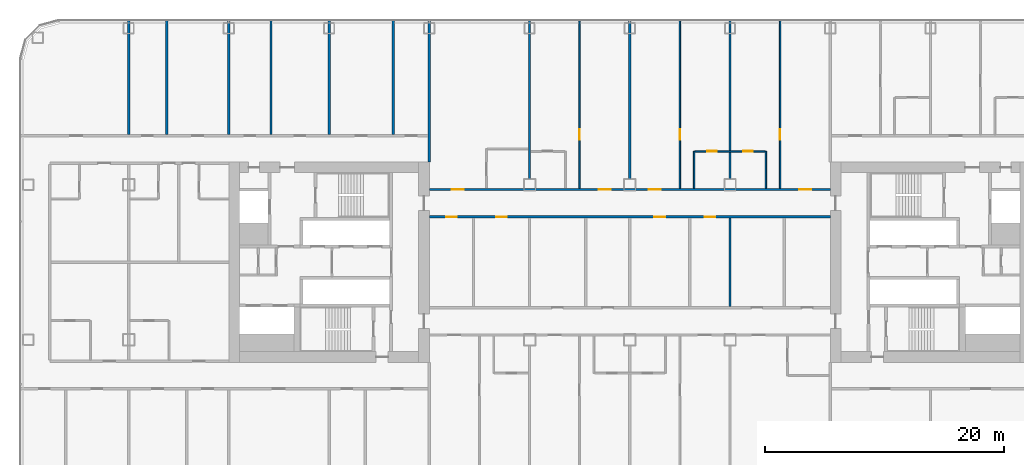
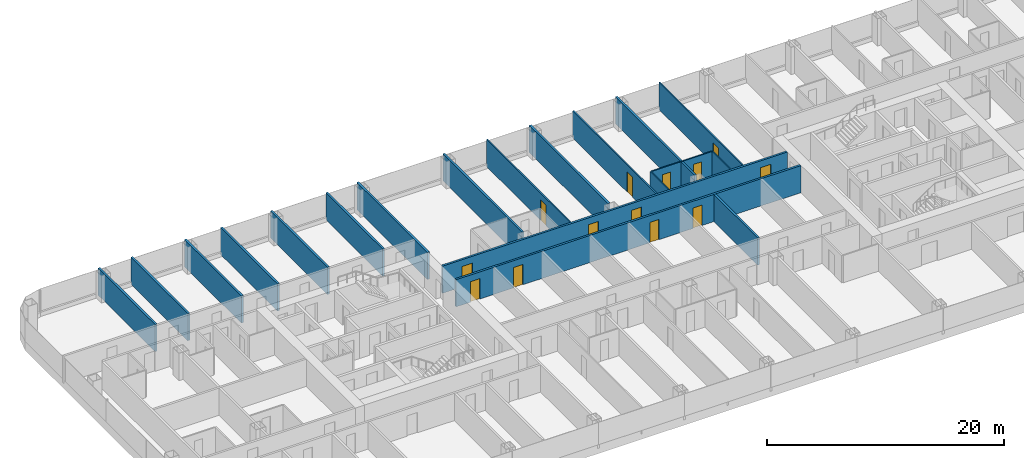
# One storey, part 16 of 28: 19 walls, 13 doors, 13 openings.
"""IFC4 building model written with IfcOpenShell, lengths in metres."""

from ifc_helpers import new_model, si_unit, direction, frame, frame_2d, origin, place, context, subcontext, project, spatial, rectangle, extrude, material, layer, layer_set, type_object, element, fill, save


model = new_model("IFC4")

# Units and contexts
model_context = context("Model", 3, precision=1e-05, world=origin(), true_north=direction((0.0, 1.0)))
body_context = subcontext(model_context, "Body", "Model", "MODEL_VIEW")
ifc_project = project(units=[si_unit("LENGTHUNIT", "METRE"), si_unit("AREAUNIT", "SQUARE_METRE"), si_unit("VOLUMEUNIT", "CUBIC_METRE"), si_unit("PLANEANGLEUNIT", "RADIAN"), si_unit("MASSUNIT", "GRAM", prefix="KILO")], contexts=[model_context])

# Site, building, storey
site_placement = place(None, origin())
site = spatial("IfcSite", under=ifc_project, at=site_placement, CompositionType="ELEMENT")
building_placement = place(site_placement, origin())
building = spatial("IfcBuilding", under=site, at=building_placement, Name="Hakoniwa Tower and Hamabe Station Hall", CompositionType="ELEMENT")
storey_placement = place(building_placement, frame((0.0, 0.0, 32.60009765625)))
storey = spatial("IfcBuildingStorey", under=building, at=storey_placement, Name="L08", CompositionType="ELEMENT", Elevation=32.60009765625)

# Wall, openings, doors
ifc_material_1 = material(Name="Gypsum board partition", Category="gypsum")
ifc_layer_1 = layer(ifc_material_1, 0.125)
ifc_layer_set_1 = layer_set([ifc_layer_1], Name="Bathroom Partition 125")
wall_type_1 = type_object("IfcWallType", Name="Bathroom Partition 125", PredefinedType="PARTITIONING", material=ifc_layer_set_1)
wall_1_placement = place(storey_placement, frame((5.46240234375, 9.300048828125, 0.0), z_axis=(0.0, 0.0, 1.0), x_axis=(1.0, 0.0, 0.0)))
wall_1 = element("IfcWall", 1, at=wall_1_placement, inside=storey, type_object=wall_type_1, Name="GW-L08-028", PredefinedType="PARTITIONING", context=body_context, shape_type="SweptSolid", body=[
    extrude(rectangle(XDim=5.875, YDim=0.125, at=frame_2d((2.9375, 0.0))), origin(), (0.0, 0.0, 1.0), 2.7998046875),
])
opening_1_placement = place(wall_1_placement, frame((1.03759765625, 0.0, 0.0)))
opening_1 = element("IfcOpeningElement", 2, at=opening_1_placement, cuts=wall_1, Name="Opening GD-G1E0-47", PredefinedType="OPENING", context=body_context, shape_type="SweptSolid", body=[
    extrude(rectangle(XDim=0.800048828125, YDim=2.10009765625, at=frame_2d((0.39990234375, 1.050048828125))), frame((0.0, 0.072509765625, 0.0), z_axis=(0.0, -1.0, 0.0), x_axis=(1.0, 0.0, 0.0)), (0.0, 0.0, 1.0), 0.14501953125),
])
opening_2_placement = place(wall_1_placement, frame((4.03759765625, 0.0, 0.0)))
opening_2 = element("IfcOpeningElement", 3, at=opening_2_placement, cuts=wall_1, Name="Opening GD-G1E0-48", PredefinedType="OPENING", context=body_context, shape_type="SweptSolid", body=[
    extrude(rectangle(XDim=0.800048828125, YDim=2.10009765625, at=frame_2d((0.39990234375, 1.050048828125))), frame((0.0, 0.072509765625, 0.0), z_axis=(0.0, -1.0, 0.0), x_axis=(1.0, 0.0, 0.0)), (0.0, 0.0, 1.0), 0.14501953125),
])
ifc_material_2 = material(Name="Timber door leaf", Category="wood")
door_type_1 = type_object("IfcDoorType", Name="Bathroom Door 800", OperationType="SINGLE_SWING_LEFT", PredefinedType="DOOR", material=ifc_material_2)
door_1_placement = place(opening_1_placement, origin())
door_1 = element("IfcDoor", 4, at=door_1_placement, inside=storey, type_object=door_type_1, Name="Door GD-G1E0-47", OperationType="SINGLE_SWING_LEFT", OverallHeight=2.10009765625, OverallWidth=0.800048828125, PredefinedType="DOOR", context=body_context, shape_type="SweptSolid", body=[
    extrude(rectangle(XDim=0.800048828125, YDim=2.10009765625, at=frame_2d((0.39990234375, 1.050048828125))), frame((0.0, 0.02490234375, 0.0), z_axis=(0.0, -1.0, 0.0), x_axis=(1.0, 0.0, 0.0)), (0.0, 0.0, 1.0), 0.050048828125),
])
fill(opening_1, door_1)
door_2_placement = place(opening_2_placement, origin())
door_2 = element("IfcDoor", 5, at=door_2_placement, inside=storey, type_object=door_type_1, Name="Door GD-G1E0-48", OperationType="SINGLE_SWING_RIGHT", OverallHeight=2.10009765625, OverallWidth=0.800048828125, PredefinedType="DOOR", context=body_context, shape_type="SweptSolid", body=[
    extrude(rectangle(XDim=0.800048828125, YDim=2.10009765625, at=frame_2d((0.39990234375, 1.050048828125))), frame((0.0, 0.02490234375, 0.0), z_axis=(0.0, -1.0, 0.0), x_axis=(1.0, 0.0, 0.0)), (0.0, 0.0, 1.0), 0.050048828125),
])
fill(opening_2, door_2)

# Walls
for number, where, z_axis, x_axis, name in (
    (6, (5.39990234375, 6.199951171875, 0.0), (0.0, 0.0, 1.0), (0.0, 1.0, 0.0), "GW-L08-077"),
    (7, (11.39990234375, 6.199951171875, 0.0), (0.0, 0.0, 1.0), (0.0, 1.0, 0.0), "GW-L08-081"),
):
    element("IfcWall", number, at=place(storey_placement, frame(where, z_axis=z_axis, x_axis=x_axis)), inside=storey, type_object=wall_type_1, Name=name, PredefinedType="PARTITIONING", context=body_context, shape_type="SweptSolid", body=[
        extrude(rectangle(XDim=3.10009765625, YDim=0.125, at=frame_2d((1.550048828125, 0.0))), origin(), (0.0, 0.0, 1.0), 2.7998046875),
    ])

# Wall, openings, doors
ifc_material_3 = material(Name="Fire-rated gypsum board partition", Category="gypsum")
ifc_layer_2 = layer(ifc_material_3, 0.199951171875)
ifc_layer_set_2 = layer_set([ifc_layer_2], Name="Corridor Wall 200")
wall_type_2 = type_object("IfcWallType", Name="Corridor Wall 200", PredefinedType="PARTITIONING", material=ifc_layer_set_2)
wall_2_placement = place(storey_placement, frame((-16.800048828125, 3.800048828125, 0.0), z_axis=(0.0, 0.0, 1.0), x_axis=(1.0, 0.0, 0.0)))
wall_2 = element("IfcWall", 8, at=wall_2_placement, inside=storey, type_object=wall_type_2, Name="GW-L08-017", PredefinedType="PARTITIONING", context=body_context, shape_type="SweptSolid", body=[
    extrude(rectangle(XDim=33.60009765625, YDim=0.199951171875, at=frame_2d((16.800048828125, 0.0))), origin(), (0.0, 0.0, 1.0), 2.7998046875),
])
opening_3_placement = place(wall_2_placement, frame((1.39990234375, 0.0, 0.0)))
opening_3 = element("IfcOpeningElement", 9, at=opening_3_placement, cuts=wall_2, Name="Opening GD-G1E0-31", PredefinedType="OPENING", context=body_context, shape_type="SweptSolid", body=[
    extrude(rectangle(XDim=0.89990234375, YDim=2.10009765625, at=frame_2d((0.449951171875, 1.050048828125))), frame((0.0, 0.10986328125, 0.0), z_axis=(0.0, -1.0, 0.0), x_axis=(1.0, 0.0, 0.0)), (0.0, 0.0, 1.0), 0.219970703125),
])
opening_4_placement = place(wall_2_placement, frame((5.60009765625, 0.0, 0.0)))
opening_4 = element("IfcOpeningElement", 10, at=opening_4_placement, cuts=wall_2, Name="Opening GD-G1E0-32", PredefinedType="OPENING", context=body_context, shape_type="SweptSolid", body=[
    extrude(rectangle(XDim=0.89990234375, YDim=2.10009765625, at=frame_2d((0.449951171875, 1.050048828125))), frame((0.0, 0.10986328125, 0.0), z_axis=(0.0, -1.0, 0.0), x_axis=(1.0, 0.0, 0.0)), (0.0, 0.0, 1.0), 0.219970703125),
])
opening_5_placement = place(wall_2_placement, frame((18.8701171875, 0.0, 0.0)))
opening_5 = element("IfcOpeningElement", 11, at=opening_5_placement, cuts=wall_2, Name="Opening GD-G1E0-33", PredefinedType="OPENING", context=body_context, shape_type="SweptSolid", body=[
    extrude(rectangle(XDim=0.89990234375, YDim=2.10009765625, at=frame_2d((0.449951171875, 1.050048828125))), frame((0.0, 0.10986328125, 0.0), z_axis=(0.0, -1.0, 0.0), x_axis=(1.0, 0.0, 0.0)), (0.0, 0.0, 1.0), 0.219970703125),
])
opening_6_placement = place(wall_2_placement, frame((23.070068359375, 0.0, 0.0)))
opening_6 = element("IfcOpeningElement", 12, at=opening_6_placement, cuts=wall_2, Name="Opening GD-G1E0-34", PredefinedType="OPENING", context=body_context, shape_type="SweptSolid", body=[
    extrude(rectangle(XDim=0.89990234375, YDim=2.10009765625, at=frame_2d((0.449951171875, 1.050048828125))), frame((0.0, 0.10986328125, 0.0), z_axis=(0.0, -1.0, 0.0), x_axis=(1.0, 0.0, 0.0)), (0.0, 0.0, 1.0), 0.219970703125),
])
ifc_material_4 = material(Name="Timber door leaf", Category="wood")
door_type_2 = type_object("IfcDoorType", Name="Service Door 900", OperationType="SINGLE_SWING_LEFT", PredefinedType="DOOR", material=ifc_material_4)
door_3_placement = place(opening_3_placement, origin())
door_3 = element("IfcDoor", 13, at=door_3_placement, inside=storey, type_object=door_type_2, Name="Door GD-G1E0-31", OperationType="SINGLE_SWING_RIGHT", OverallHeight=2.10009765625, OverallWidth=0.89990234375, PredefinedType="DOOR", context=body_context, shape_type="SweptSolid", body=[
    extrude(rectangle(XDim=0.89990234375, YDim=2.10009765625, at=frame_2d((0.449951171875, 1.050048828125))), frame((0.0, 0.02490234375, 0.0), z_axis=(0.0, -1.0, 0.0), x_axis=(1.0, 0.0, 0.0)), (0.0, 0.0, 1.0), 0.050048828125),
])
fill(opening_3, door_3)
door_4_placement = place(opening_4_placement, origin())
door_4 = element("IfcDoor", 14, at=door_4_placement, inside=storey, type_object=door_type_2, Name="Door GD-G1E0-32", OperationType="SINGLE_SWING_LEFT", OverallHeight=2.10009765625, OverallWidth=0.89990234375, PredefinedType="DOOR", context=body_context, shape_type="SweptSolid", body=[
    extrude(rectangle(XDim=0.89990234375, YDim=2.10009765625, at=frame_2d((0.449951171875, 1.050048828125))), frame((0.0, 0.02490234375, 0.0), z_axis=(0.0, -1.0, 0.0), x_axis=(1.0, 0.0, 0.0)), (0.0, 0.0, 1.0), 0.050048828125),
])
fill(opening_4, door_4)
door_5_placement = place(opening_5_placement, origin())
door_5 = element("IfcDoor", 15, at=door_5_placement, inside=storey, type_object=door_type_2, Name="Door GD-G1E0-33", OperationType="SINGLE_SWING_RIGHT", OverallHeight=2.10009765625, OverallWidth=0.89990234375, PredefinedType="DOOR", context=body_context, shape_type="SweptSolid", body=[
    extrude(rectangle(XDim=0.89990234375, YDim=2.10009765625, at=frame_2d((0.449951171875, 1.050048828125))), frame((0.0, 0.02490234375, 0.0), z_axis=(0.0, -1.0, 0.0), x_axis=(1.0, 0.0, 0.0)), (0.0, 0.0, 1.0), 0.050048828125),
])
fill(opening_5, door_5)
door_6_placement = place(opening_6_placement, origin())
door_6 = element("IfcDoor", 16, at=door_6_placement, inside=storey, type_object=door_type_2, Name="Door GD-G1E0-34", OperationType="SINGLE_SWING_LEFT", OverallHeight=2.10009765625, OverallWidth=0.89990234375, PredefinedType="DOOR", context=body_context, shape_type="SweptSolid", body=[
    extrude(rectangle(XDim=0.89990234375, YDim=2.10009765625, at=frame_2d((0.449951171875, 1.050048828125))), frame((0.0, 0.02490234375, 0.0), z_axis=(0.0, -1.0, 0.0), x_axis=(1.0, 0.0, 0.0)), (0.0, 0.0, 1.0), 0.050048828125),
])
fill(opening_6, door_6)

wall_3_placement = place(storey_placement, frame((-16.800048828125, 6.10009765625, 0.0), z_axis=(0.0, 0.0, 1.0), x_axis=(1.0, 0.0, 0.0)))
wall_3 = element("IfcWall", 17, at=wall_3_placement, inside=storey, type_object=wall_type_2, Name="GW-L08-024", PredefinedType="PARTITIONING", context=body_context, shape_type="SweptSolid", body=[
    extrude(rectangle(XDim=33.60009765625, YDim=0.199951171875, at=frame_2d((16.800048828125, 0.0))), origin(), (0.0, 0.0, 1.0), 2.7998046875),
])
opening_7_placement = place(wall_3_placement, frame((1.89990234375, 0.0, 0.0)))
opening_7 = element("IfcOpeningElement", 18, at=opening_7_placement, cuts=wall_3, Name="Opening GD-G1E0-36", PredefinedType="OPENING", context=body_context, shape_type="SweptSolid", body=[
    extrude(rectangle(XDim=1.0, YDim=2.10009765625, at=frame_2d((0.5, 1.050048828125))), frame((0.0, 0.10986328125, 0.0), z_axis=(0.0, -1.0, 0.0), x_axis=(1.0, 0.0, 0.0)), (0.0, 0.0, 1.0), 0.219970703125),
])
opening_8_placement = place(wall_3_placement, frame((14.199951171875, 0.0, 0.0)))
opening_8 = element("IfcOpeningElement", 19, at=opening_8_placement, cuts=wall_3, Name="Opening GD-G1E0-37", PredefinedType="OPENING", context=body_context, shape_type="SweptSolid", body=[
    extrude(rectangle(XDim=1.0, YDim=2.10009765625, at=frame_2d((0.5, 1.050048828125))), frame((0.0, 0.10986328125, 0.0), z_axis=(0.0, -1.0, 0.0), x_axis=(1.0, 0.0, 0.0)), (0.0, 0.0, 1.0), 0.219970703125),
])
opening_9_placement = place(wall_3_placement, frame((18.39990234375, 0.0, 0.0)))
opening_9 = element("IfcOpeningElement", 20, at=opening_9_placement, cuts=wall_3, Name="Opening GD-G1E0-38", PredefinedType="OPENING", context=body_context, shape_type="SweptSolid", body=[
    extrude(rectangle(XDim=1.0, YDim=2.10009765625, at=frame_2d((0.5, 1.050048828125))), frame((0.0, 0.10986328125, 0.0), z_axis=(0.0, -1.0, 0.0), x_axis=(1.0, 0.0, 0.0)), (0.0, 0.0, 1.0), 0.219970703125),
])
opening_10_placement = place(wall_3_placement, frame((31.0, 0.0, 0.0)))
opening_10 = element("IfcOpeningElement", 21, at=opening_10_placement, cuts=wall_3, Name="Opening GD-G1E0-39", PredefinedType="OPENING", context=body_context, shape_type="SweptSolid", body=[
    extrude(rectangle(XDim=1.0, YDim=2.10009765625, at=frame_2d((0.5, 1.050048828125))), frame((0.0, 0.10986328125, 0.0), z_axis=(0.0, -1.0, 0.0), x_axis=(1.0, 0.0, 0.0)), (0.0, 0.0, 1.0), 0.219970703125),
])
ifc_material_5 = material(Name="Timber door leaf", Category="wood")
door_type_3 = type_object("IfcDoorType", Name="Accessible Guest Entrance Door 1000", OperationType="SINGLE_SWING_LEFT", PredefinedType="DOOR", material=ifc_material_5)
door_7_placement = place(opening_7_placement, origin())
door_7 = element("IfcDoor", 22, at=door_7_placement, inside=storey, type_object=door_type_3, Name="Door GD-G1E0-36", OperationType="SINGLE_SWING_RIGHT", OverallHeight=2.10009765625, OverallWidth=1.0, PredefinedType="DOOR", context=body_context, shape_type="SweptSolid", body=[
    extrude(rectangle(XDim=1.0, YDim=2.10009765625, at=frame_2d((0.5, 1.050048828125))), frame((0.0, 0.02490234375, 0.0), z_axis=(0.0, -1.0, 0.0), x_axis=(1.0, 0.0, 0.0)), (0.0, 0.0, 1.0), 0.050048828125),
])
fill(opening_7, door_7)
ifc_material_6 = material(Name="Timber door leaf", Category="wood")
door_type_4 = type_object("IfcDoorType", Name="Guest Entrance Door 1000", OperationType="SINGLE_SWING_LEFT", PredefinedType="DOOR", material=ifc_material_6)
door_8_placement = place(opening_8_placement, origin())
door_8 = element("IfcDoor", 23, at=door_8_placement, inside=storey, type_object=door_type_4, Name="Door GD-G1E0-37", OperationType="SINGLE_SWING_RIGHT", OverallHeight=2.10009765625, OverallWidth=1.0, PredefinedType="DOOR", context=body_context, shape_type="SweptSolid", body=[
    extrude(rectangle(XDim=1.0, YDim=2.10009765625, at=frame_2d((0.5, 1.050048828125))), frame((0.0, 0.02490234375, 0.0), z_axis=(0.0, -1.0, 0.0), x_axis=(1.0, 0.0, 0.0)), (0.0, 0.0, 1.0), 0.050048828125),
])
fill(opening_8, door_8)
door_9_placement = place(opening_9_placement, origin())
door_9 = element("IfcDoor", 24, at=door_9_placement, inside=storey, type_object=door_type_4, Name="Door GD-G1E0-38", OperationType="SINGLE_SWING_LEFT", OverallHeight=2.10009765625, OverallWidth=1.0, PredefinedType="DOOR", context=body_context, shape_type="SweptSolid", body=[
    extrude(rectangle(XDim=1.0, YDim=2.10009765625, at=frame_2d((0.5, 1.050048828125))), frame((0.0, 0.02490234375, 0.0), z_axis=(0.0, -1.0, 0.0), x_axis=(1.0, 0.0, 0.0)), (0.0, 0.0, 1.0), 0.050048828125),
])
fill(opening_9, door_9)
door_10_placement = place(opening_10_placement, origin())
door_10 = element("IfcDoor", 25, at=door_10_placement, inside=storey, type_object=door_type_4, Name="Door GD-G1E0-39", OperationType="SINGLE_SWING_RIGHT", OverallHeight=2.10009765625, OverallWidth=1.0, PredefinedType="DOOR", context=body_context, shape_type="SweptSolid", body=[
    extrude(rectangle(XDim=1.0, YDim=2.10009765625, at=frame_2d((0.5, 1.050048828125))), frame((0.0, 0.02490234375, 0.0), z_axis=(0.0, -1.0, 0.0), x_axis=(1.0, 0.0, 0.0)), (0.0, 0.0, 1.0), 0.050048828125),
])
fill(opening_10, door_10)

# Walls
ifc_material_7 = material(Name="Fire-rated gypsum board partition", Category="gypsum")
ifc_layer_3 = layer(ifc_material_7, 0.199951171875)
ifc_layer_set_3 = layer_set([ifc_layer_3], Name="Party Wall 200")
wall_type_3 = type_object("IfcWallType", Name="Party Wall 200", PredefinedType="PARTITIONING", material=ifc_layer_set_3)
for number, where, z_axis, x_axis, name in (
    (26, (-42.0, 10.699951171875, 0.0), (0.0, 0.0, 1.0), (0.0, 1.0, 0.0), "GW-L08-042"),
    (27, (-38.81005859375, 10.699951171875, 0.0), (0.0, 0.0, 1.0), (0.0, 1.0, 0.0), "GW-L08-044"),
    (28, (-33.60009765625, 10.699951171875, 0.0), (0.0, 0.0, 1.0), (0.0, 1.0, 0.0), "GW-L08-050"),
    (29, (-30.070068359375, 10.699951171875, 0.0), (0.0, 0.0, 1.0), (0.0, 1.0, 0.0), "GW-L08-051"),
    (30, (-25.199951171875, 10.699951171875, 0.0), (0.0, 0.0, 1.0), (0.0, 1.0, 0.0), "GW-L08-053"),
    (31, (-19.820068359375, 10.699951171875, 0.0), (0.0, 0.0, 1.0), (0.0, 1.0, 0.0), "GW-L08-055"),
):
    element("IfcWall", number, at=place(storey_placement, frame(where, z_axis=z_axis, x_axis=x_axis)), inside=storey, type_object=wall_type_3, Name=name, PredefinedType="PARTITIONING", context=body_context, shape_type="SweptSolid", body=[
        extrude(rectangle(XDim=9.60009765625, YDim=0.199951171875, at=frame_2d((4.800048828125, 0.0))), origin(), (0.0, 0.0, 1.0), 2.7998046875),
    ])
wall_4_placement = place(storey_placement, frame((-16.800048828125, 8.389892578125, 0.0), z_axis=(0.0, 0.0, 1.0), x_axis=(0.0, 1.0, 0.0)))
element("IfcWall", 32, at=wall_4_placement, inside=storey, type_object=wall_type_3, Name="GW-L08-057", PredefinedType="PARTITIONING", context=body_context, shape_type="SweptSolid", body=[
    extrude(rectangle(XDim=11.91015625, YDim=0.199951171875, at=frame_2d((5.955078125, 0.0))), origin(), (0.0, 0.0, 1.0), 2.7998046875),
])
for number, where, z_axis, x_axis, name in (
    (33, (-8.39990234375, 6.989990234375, 0.0), (0.0, 0.0, 1.0), (0.0, 1.0, 0.0), "GW-L08-064"),
    (34, (0.0, 6.989990234375, 0.0), (0.0, 0.0, 1.0), (0.0, 1.0, 0.0), "GW-L08-072"),
):
    element("IfcWall", number, at=place(storey_placement, frame(where, z_axis=z_axis, x_axis=x_axis)), inside=storey, type_object=wall_type_3, Name=name, PredefinedType="PARTITIONING", context=body_context, shape_type="SweptSolid", body=[
        extrude(rectangle(XDim=13.31005859375, YDim=0.199951171875, at=frame_2d((6.655029296875, 0.0))), origin(), (0.0, 0.0, 1.0), 2.7998046875),
    ])
wall_5_placement = place(storey_placement, frame((8.39990234375, -3.699951171875, 0.0), z_axis=(0.0, 0.0, 1.0), x_axis=(0.0, 1.0, 0.0)))
element("IfcWall", 35, at=wall_5_placement, inside=storey, type_object=wall_type_3, Name="GW-L08-079", PredefinedType="PARTITIONING", context=body_context, shape_type="SweptSolid", body=[
    extrude(rectangle(XDim=7.39990234375, YDim=0.199951171875, at=frame_2d((3.699951171875, 0.0))), origin(), (0.0, 0.0, 1.0), 2.7998046875),
])
wall_6_placement = place(storey_placement, frame((8.39990234375, 6.989990234375, 0.0), z_axis=(0.0, 0.0, 1.0), x_axis=(0.0, 1.0, 0.0)))
element("IfcWall", 36, at=wall_6_placement, inside=storey, type_object=wall_type_3, Name="GW-L08-080", PredefinedType="PARTITIONING", context=body_context, shape_type="SweptSolid", body=[
    extrude(rectangle(XDim=13.31005859375, YDim=0.199951171875, at=frame_2d((6.655029296875, 0.0))), origin(), (0.0, 0.0, 1.0), 2.7998046875),
])

# Wall, opening, door
ifc_material_8 = material(Name="Gypsum board partition", Category="gypsum")
ifc_layer_4 = layer(ifc_material_8, 0.125)
ifc_layer_set_4 = layer_set([ifc_layer_4], Name="Room Partition 125")
wall_type_4 = type_object("IfcWallType", Name="Room Partition 125", PredefinedType="PARTITIONING", material=ifc_layer_set_4)
wall_7_placement = place(storey_placement, frame((-4.199951171875, 6.199951171875, 0.0), z_axis=(0.0, 0.0, 1.0), x_axis=(0.0, 1.0, 0.0)))
wall_7 = element("IfcWall", 37, at=wall_7_placement, inside=storey, type_object=wall_type_4, Name="GW-L08-067", PredefinedType="PARTITIONING", context=body_context, shape_type="SweptSolid", body=[
    extrude(rectangle(XDim=14.10009765625, YDim=0.125, at=frame_2d((7.050048828125, 0.0))), origin(), (0.0, 0.0, 1.0), 2.7998046875),
])
opening_11_placement = place(wall_7_placement, frame((4.050048828125, 0.0, 0.0)))
opening_11 = element("IfcOpeningElement", 38, at=opening_11_placement, cuts=wall_7, Name="Opening GD-G1E0-70", PredefinedType="OPENING", context=body_context, shape_type="SweptSolid", body=[
    extrude(rectangle(XDim=0.89990234375, YDim=2.10009765625, at=frame_2d((0.449951171875, 1.050048828125))), frame((0.0, 0.072509765625, 0.0), z_axis=(0.0, -1.0, 0.0), x_axis=(1.0, 0.0, 0.0)), (0.0, 0.0, 1.0), 0.14501953125),
])
ifc_material_9 = material(Name="Timber door leaf", Category="wood")
door_type_5 = type_object("IfcDoorType", Name="Suite Interior Door 900", OperationType="SINGLE_SWING_LEFT", PredefinedType="DOOR", material=ifc_material_9)
door_11_placement = place(opening_11_placement, origin())
door_11 = element("IfcDoor", 39, at=door_11_placement, inside=storey, type_object=door_type_5, Name="Door GD-G1E0-70", OperationType="SINGLE_SWING_RIGHT", OverallHeight=2.10009765625, OverallWidth=0.89990234375, PredefinedType="DOOR", context=body_context, shape_type="SweptSolid", body=[
    extrude(rectangle(XDim=0.89990234375, YDim=2.10009765625, at=frame_2d((0.449951171875, 1.050048828125))), frame((0.0, 0.02490234375, 0.0), z_axis=(0.0, -1.0, 0.0), x_axis=(1.0, 0.0, 0.0)), (0.0, 0.0, 1.0), 0.050048828125),
])
fill(opening_11, door_11)

wall_8_placement = place(storey_placement, frame((4.199951171875, 6.199951171875, 0.0), z_axis=(0.0, 0.0, 1.0), x_axis=(0.0, 1.0, 0.0)))
wall_8 = element("IfcWall", 40, at=wall_8_placement, inside=storey, type_object=wall_type_4, Name="GW-L08-075", PredefinedType="PARTITIONING", context=body_context, shape_type="SweptSolid", body=[
    extrude(rectangle(XDim=14.10009765625, YDim=0.125, at=frame_2d((7.050048828125, 0.0))), origin(), (0.0, 0.0, 1.0), 2.7998046875),
])
opening_12_placement = place(wall_8_placement, frame((4.050048828125, 0.0, 0.0)))
opening_12 = element("IfcOpeningElement", 41, at=opening_12_placement, cuts=wall_8, Name="Opening GD-G1E0-72", PredefinedType="OPENING", context=body_context, shape_type="SweptSolid", body=[
    extrude(rectangle(XDim=0.89990234375, YDim=2.10009765625, at=frame_2d((0.449951171875, 1.050048828125))), frame((0.0, 0.072509765625, 0.0), z_axis=(0.0, -1.0, 0.0), x_axis=(1.0, 0.0, 0.0)), (0.0, 0.0, 1.0), 0.14501953125),
])
door_12_placement = place(opening_12_placement, origin())
door_12 = element("IfcDoor", 42, at=door_12_placement, inside=storey, type_object=door_type_5, Name="Door GD-G1E0-72", OperationType="SINGLE_SWING_LEFT", OverallHeight=2.10009765625, OverallWidth=0.89990234375, PredefinedType="DOOR", context=body_context, shape_type="SweptSolid", body=[
    extrude(rectangle(XDim=0.89990234375, YDim=2.10009765625, at=frame_2d((0.449951171875, 1.050048828125))), frame((0.0, 0.02490234375, 0.0), z_axis=(0.0, -1.0, 0.0), x_axis=(1.0, 0.0, 0.0)), (0.0, 0.0, 1.0), 0.050048828125),
])
fill(opening_12, door_12)

wall_9_placement = place(storey_placement, frame((12.60009765625, 6.199951171875, 0.0), z_axis=(0.0, 0.0, 1.0), x_axis=(0.0, 1.0, 0.0)))
wall_9 = element("IfcWall", 43, at=wall_9_placement, inside=storey, type_object=wall_type_4, Name="GW-L08-082", PredefinedType="PARTITIONING", context=body_context, shape_type="SweptSolid", body=[
    extrude(rectangle(XDim=14.10009765625, YDim=0.125, at=frame_2d((7.050048828125, 0.0))), origin(), (0.0, 0.0, 1.0), 2.7998046875),
])
opening_13_placement = place(wall_9_placement, frame((4.050048828125, 0.0, 0.0)))
opening_13 = element("IfcOpeningElement", 44, at=opening_13_placement, cuts=wall_9, Name="Opening GD-G1E0-73", PredefinedType="OPENING", context=body_context, shape_type="SweptSolid", body=[
    extrude(rectangle(XDim=0.89990234375, YDim=2.10009765625, at=frame_2d((0.449951171875, 1.050048828125))), frame((0.0, 0.072509765625, 0.0), z_axis=(0.0, -1.0, 0.0), x_axis=(1.0, 0.0, 0.0)), (0.0, 0.0, 1.0), 0.14501953125),
])
door_13_placement = place(opening_13_placement, origin())
door_13 = element("IfcDoor", 45, at=door_13_placement, inside=storey, type_object=door_type_5, Name="Door GD-G1E0-73", OperationType="SINGLE_SWING_LEFT", OverallHeight=2.10009765625, OverallWidth=0.89990234375, PredefinedType="DOOR", context=body_context, shape_type="SweptSolid", body=[
    extrude(rectangle(XDim=0.89990234375, YDim=2.10009765625, at=frame_2d((0.449951171875, 1.050048828125))), frame((0.0, 0.02490234375, 0.0), z_axis=(0.0, -1.0, 0.0), x_axis=(1.0, 0.0, 0.0)), (0.0, 0.0, 1.0), 0.050048828125),
])
fill(opening_13, door_13)

save(model, "model.ifc")
